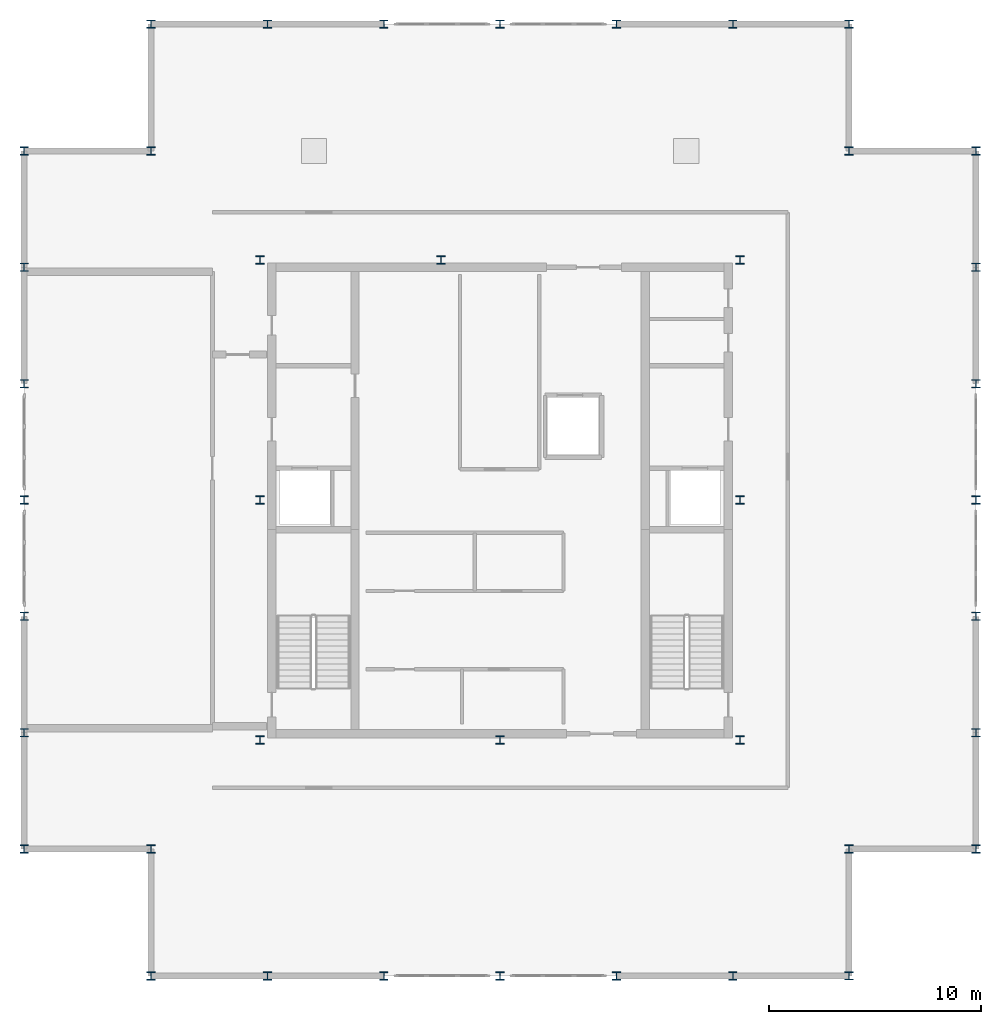
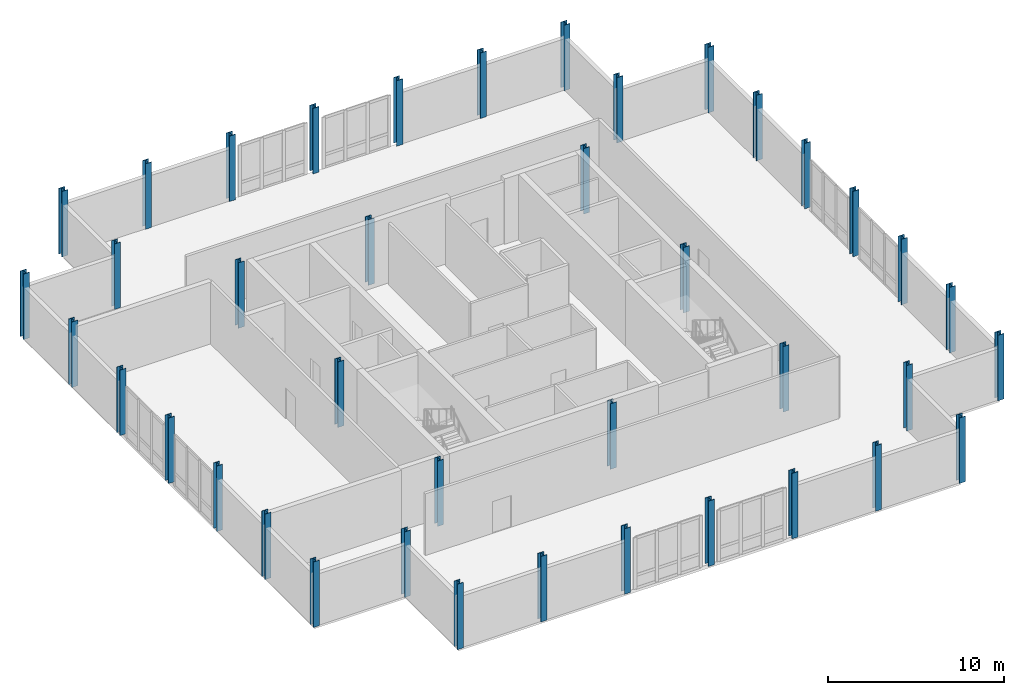
# One storey, part 1 of 7: 40 columns.
"""IFC4 building model written with IfcOpenShell, lengths in metres."""

from ifc_helpers import new_model, si_unit, direction, frame, origin, origin_2d, place, context, subcontext, project, spatial, i_section, extrude, material, material_profile, profile_set, type_object, element, save


model = new_model("IFC4")

# Units and contexts
model_context = context("Model", 3, precision=1e-05, world=origin(), true_north=direction((0.0, 1.0)))
body_context = subcontext(model_context, "Body", "Model", "MODEL_VIEW")
ifc_project = project(units=[si_unit("LENGTHUNIT", "METRE"), si_unit("AREAUNIT", "SQUARE_METRE"), si_unit("VOLUMEUNIT", "CUBIC_METRE"), si_unit("PLANEANGLEUNIT", "RADIAN"), si_unit("MASSUNIT", "GRAM", prefix="KILO")], contexts=[model_context])

# Site, building, storey
site_placement = place(None, origin())
site = spatial("IfcSite", under=ifc_project, at=site_placement, CompositionType="ELEMENT")
building_placement = place(site_placement, origin())
building = spatial("IfcBuilding", under=site, at=building_placement, Name="Nhamokura Convention Tower", CompositionType="ELEMENT")
storey_placement = place(building_placement, frame((0.0, 0.0, 326.89990234375)))
storey = spatial("IfcBuildingStorey", under=building, at=storey_placement, Name="L80", CompositionType="ELEMENT", Elevation=326.89990234375)

# Columns
ifc_material = material(Name="Steel ASTM A572 Gr 50", Category="steel")
ifc_material_profile = material_profile(ifc_material, i_section(OverallWidth=0.39794921875, OverallDepth=0.386962890625, WebThickness=0.02099609375, FlangeThickness=0.033203125, at=origin_2d()))
ifc_profile_set = profile_set([ifc_material_profile], Name="Steel ASTM A572 Gr 50")
column_type = type_object("IfcColumnType", Name="CrownColumn_W360X262", PredefinedType="COLUMN", material=ifc_profile_set)
for number, where, z_axis, x_axis, name in (
    (1, (20.64990234375, 20.64990234375, 0.0), (0.0, 0.0, 1.0), (1.0, 0.0, 0.0), "L80 Core Column CC-SW"),
    (2, (32.0, 20.64990234375, 0.0), (0.0, 0.0, 1.0), (1.0, 0.0, 0.0), "L80 Core Column CC-S"),
    (3, (43.35009765625, 20.64990234375, 0.0), (0.0, 0.0, 1.0), (1.0, 0.0, 0.0), "L80 Core Column CC-SE"),
    (4, (43.35009765625, 32.0, 0.0), (0.0, 0.0, 1.0), (1.0, 0.0, 0.0), "L80 Core Column CC-E"),
    (5, (43.35009765625, 43.35009765625, 0.0), (0.0, 0.0, 1.0), (1.0, 0.0, 0.0), "L80 Core Column CC-NE"),
    (6, (29.199951171875, 43.35009765625, 0.0), (0.0, 0.0, 1.0), (1.0, 0.0, 0.0), "L80 Core Column CC-N"),
    (7, (20.64990234375, 43.35009765625, 0.0), (0.0, 0.0, 1.0), (1.0, 0.0, 0.0), "L80 Core Column CC-NW"),
    (8, (20.64990234375, 32.0, 0.0), (0.0, 0.0, 1.0), (1.0, 0.0, 0.0), "L80 Core Column CC-W"),
    (9, (15.5, 9.5, 0.0), (0.0, 0.0, 1.0), (1.0, 0.0, 0.0), "L80 Perimeter Tube Column SW1"),
    (10, (15.5, 15.5, 0.0), (0.0, 0.0, 1.0), (1.0, 0.0, 0.0), "L80 Perimeter Tube Column SW0"),
    (11, (9.5, 15.5, 0.0), (0.0, 0.0, 1.0), (1.0, 0.0, 0.0), "L80 Perimeter Tube Column SW2"),
    (12, (48.5, 9.5, 0.0), (0.0, 0.0, 1.0), (1.0, 0.0, 0.0), "L80 Perimeter Tube Column SE1"),
    (13, (48.5, 15.5, 0.0), (0.0, 0.0, 1.0), (1.0, 0.0, 0.0), "L80 Perimeter Tube Column SE0"),
    (14, (54.5, 15.5, 0.0), (0.0, 0.0, 1.0), (1.0, 0.0, 0.0), "L80 Perimeter Tube Column SE2"),
    (15, (54.5, 48.5, 0.0), (0.0, 0.0, 1.0), (1.0, 0.0, 0.0), "L80 Perimeter Tube Column NE1"),
    (16, (48.5, 48.5, 0.0), (0.0, 0.0, 1.0), (1.0, 0.0, 0.0), "L80 Perimeter Tube Column NE0"),
    (17, (48.5, 54.5, 0.0), (0.0, 0.0, 1.0), (1.0, 0.0, 0.0), "L80 Perimeter Tube Column NE2"),
    (18, (15.5, 54.5, 0.0), (0.0, 0.0, 1.0), (1.0, 0.0, 0.0), "L80 Perimeter Tube Column NW1"),
    (19, (15.5, 48.5, 0.0), (0.0, 0.0, 1.0), (1.0, 0.0, 0.0), "L80 Perimeter Tube Column NW0"),
    (20, (9.5, 48.5, 0.0), (0.0, 0.0, 1.0), (1.0, 0.0, 0.0), "L80 Perimeter Tube Column NW2"),
    (21, (21.0, 9.5, 0.0), (0.0, 0.0, 1.0), (1.0, 0.0, 0.0), "L80 Perimeter Tube Column S1"),
    (22, (21.0, 54.5, 0.0), (0.0, 0.0, 1.0), (1.0, 0.0, 0.0), "L80 Perimeter Tube Column N1"),
    (23, (9.5, 21.0, 0.0), (0.0, 0.0, 1.0), (1.0, 0.0, 0.0), "L80 Perimeter Tube Column W1"),
    (24, (54.5, 21.0, 0.0), (0.0, 0.0, 1.0), (1.0, 0.0, 0.0), "L80 Perimeter Tube Column E1"),
    (25, (26.5, 9.5, 0.0), (0.0, 0.0, 1.0), (1.0, 0.0, 0.0), "L80 Perimeter Tube Column S2"),
    (26, (26.5, 54.5, 0.0), (0.0, 0.0, 1.0), (1.0, 0.0, 0.0), "L80 Perimeter Tube Column N2"),
    (27, (9.5, 26.5, 0.0), (0.0, 0.0, 1.0), (1.0, 0.0, 0.0), "L80 Perimeter Tube Column W2"),
    (28, (54.5, 26.5, 0.0), (0.0, 0.0, 1.0), (1.0, 0.0, 0.0), "L80 Perimeter Tube Column E2"),
    (29, (32.0, 9.5, 0.0), (0.0, 0.0, 1.0), (1.0, 0.0, 0.0), "L80 Perimeter Tube Column S3"),
    (30, (32.0, 54.5, 0.0), (0.0, 0.0, 1.0), (1.0, 0.0, 0.0), "L80 Perimeter Tube Column N3"),
    (31, (9.5, 32.0, 0.0), (0.0, 0.0, 1.0), (1.0, 0.0, 0.0), "L80 Perimeter Tube Column W3"),
    (32, (54.5, 32.0, 0.0), (0.0, 0.0, 1.0), (1.0, 0.0, 0.0), "L80 Perimeter Tube Column E3"),
    (33, (37.5, 9.5, 0.0), (0.0, 0.0, 1.0), (1.0, 0.0, 0.0), "L80 Perimeter Tube Column S4"),
    (34, (37.5, 54.5, 0.0), (0.0, 0.0, 1.0), (1.0, 0.0, 0.0), "L80 Perimeter Tube Column N4"),
    (35, (9.5, 37.5, 0.0), (0.0, 0.0, 1.0), (1.0, 0.0, 0.0), "L80 Perimeter Tube Column W4"),
    (36, (54.5, 37.5, 0.0), (0.0, 0.0, 1.0), (1.0, 0.0, 0.0), "L80 Perimeter Tube Column E4"),
    (37, (43.0, 9.5, 0.0), (0.0, 0.0, 1.0), (1.0, 0.0, 0.0), "L80 Perimeter Tube Column S5"),
    (38, (43.0, 54.5, 0.0), (0.0, 0.0, 1.0), (1.0, 0.0, 0.0), "L80 Perimeter Tube Column N5"),
    (39, (9.5, 43.0, 0.0), (0.0, 0.0, 1.0), (1.0, 0.0, 0.0), "L80 Perimeter Tube Column W5"),
    (40, (54.5, 43.0, 0.0), (0.0, 0.0, 1.0), (1.0, 0.0, 0.0), "L80 Perimeter Tube Column E5"),
):
    element("IfcColumn", number, at=place(storey_placement, frame(where, z_axis=z_axis, x_axis=x_axis)), inside=storey, type_object=column_type, Name=name, PredefinedType="COLUMN", context=body_context, shape_type="SweptSolid", body=[
        extrude(i_section(OverallWidth=0.39794921875, OverallDepth=0.386962890625, WebThickness=0.02099609375, FlangeThickness=0.033203125, at=origin_2d()), origin(), (0.0, 0.0, 1.0), 4.550048828125),
    ])

save(model, "model.ifc")
